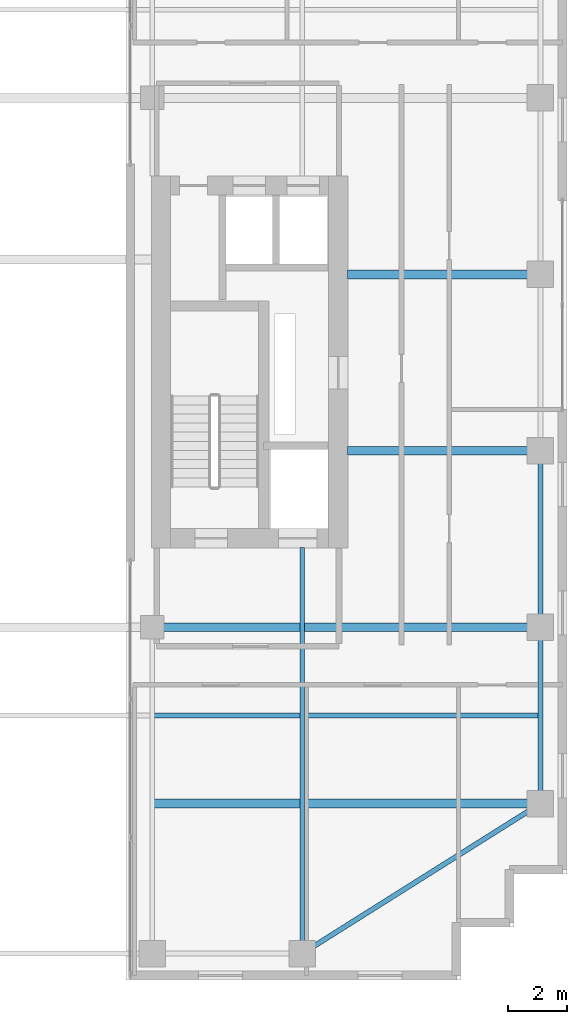
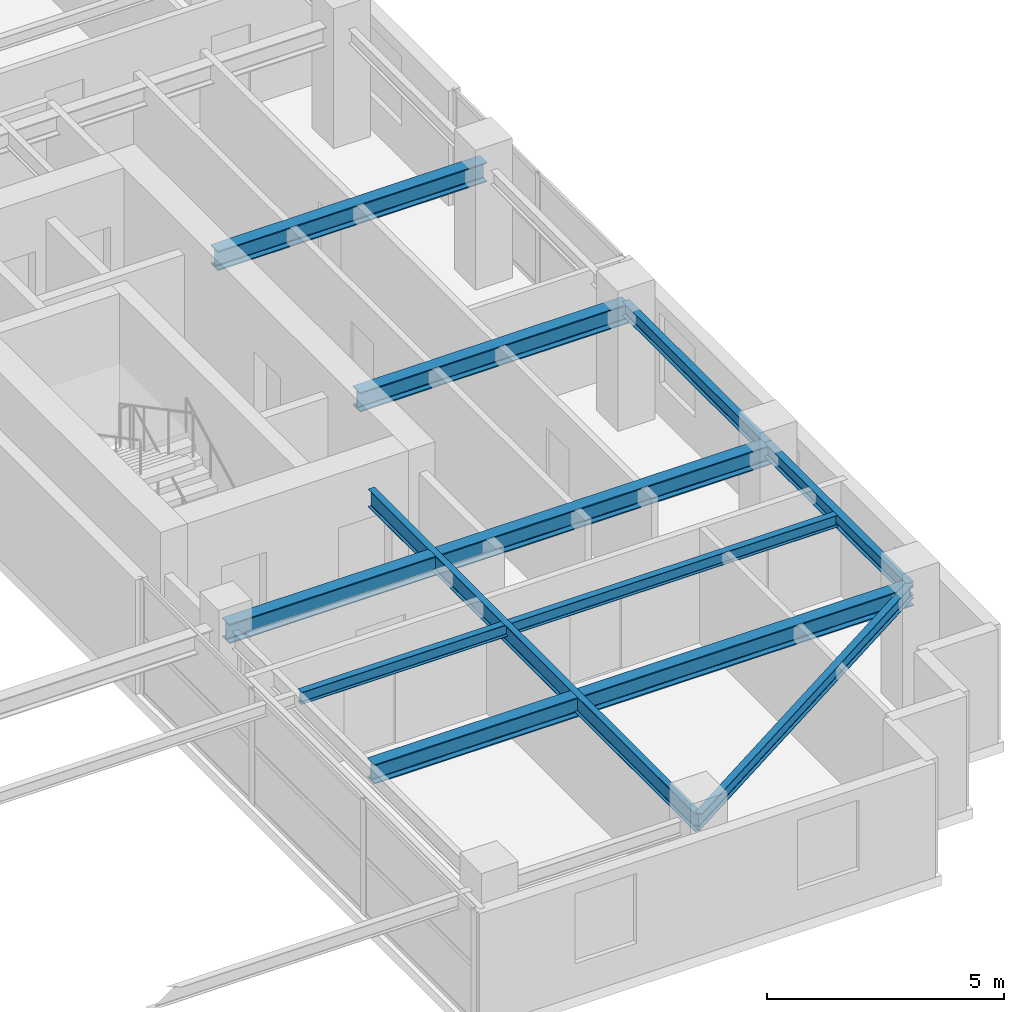
# One storey, part 10 of 21: 9 beams.
"""IFC4 building model written with IfcOpenShell, lengths in metres."""

from ifc_helpers import new_model, si_unit, direction, frame, origin, origin_2d, place, context, subcontext, project, spatial, i_section, extrude, source, transform, mapped, material, material_profile, profile_set, type_object, element, save


model = new_model("IFC4")

# Units and contexts
model_context = context("Model", 3, precision=1e-05, world=origin(), true_north=direction((0.0, 1.0)))
body_context = subcontext(model_context, "Body", "Model", "MODEL_VIEW")
ifc_project = project(units=[si_unit("LENGTHUNIT", "METRE"), si_unit("AREAUNIT", "SQUARE_METRE"), si_unit("VOLUMEUNIT", "CUBIC_METRE"), si_unit("PLANEANGLEUNIT", "RADIAN"), si_unit("MASSUNIT", "GRAM", prefix="KILO")], contexts=[model_context])

# Site, building, storey
site_placement = place(None, origin())
site = spatial("IfcSite", under=ifc_project, at=site_placement, CompositionType="ELEMENT")
building_placement = place(site_placement, origin())
building = spatial("IfcBuilding", under=site, at=building_placement, Name="Khoralis Quay Care Tower", CompositionType="ELEMENT")
storey_placement = place(building_placement, frame((0.0, 0.0, 213.300048828125)))
storey = spatial("IfcBuildingStorey", under=building, at=storey_placement, Name="L56", CompositionType="ELEMENT", Elevation=213.300048828125)

# Beams
ifc_material = material(Name="Steel S355", Category="steel")
ifc_material_profile_1 = material_profile(ifc_material, i_section(OverallWidth=0.169921875, OverallDepth=0.360107421875, WebThickness=0.008056640625, FlangeThickness=0.0126953125, FilletRadius=0.01806640625, at=origin_2d()), Name="Steel S355")
ifc_profile_set_1 = profile_set([ifc_material_profile_1], Name="Steel S355")
beam_type_1 = type_object("IfcBeamType", Name="BM-IPE360", PredefinedType="SPANDREL", material=ifc_profile_set_1)
shared_shape_1 = source(origin(), body_context, "Body", "SweptSolid", [
    extrude(i_section(OverallWidth=0.169921875, OverallDepth=0.360107421875, WebThickness=0.008056640625, FlangeThickness=0.0126953125, FilletRadius=0.01806640625, at=origin_2d()), origin(), (0.0, 0.0, 1.0), 6.0),
])
for number, where, z_axis, x_axis, name in (
    (1, (44.10009765625, 6.0, 2.77001953125), (0.0, 1.0, 0.0), (-1.0, 0.0, 0.0), "BM-TSP-L56-12"),
    (2, (44.10009765625, 12.0, 2.77001953125), (0.0, 1.0, 0.0), (-1.0, 0.0, 0.0), "BM-TSP-L56-13"),
):
    element("IfcBeam", number, at=place(storey_placement, frame(where, z_axis=z_axis, x_axis=x_axis)), inside=storey, type_object=beam_type_1, Name=name, PredefinedType="SPANDREL", context=body_context, shape_type="MappedRepresentation", body=[
        mapped(shared_shape_1, transform((0.0, 0.0, 0.0), scale=1.0)),
    ])
shared_shape_2 = source(origin(), body_context, "Body", "SweptSolid", [
    extrude(i_section(OverallWidth=0.169921875, OverallDepth=0.360107421875, WebThickness=0.008056640625, FlangeThickness=0.0126953125, FilletRadius=0.01806640625, at=origin_2d()), origin(), (0.0, 0.0, 1.0), 9.572021484375),
])
beam_1_placement = place(storey_placement, frame((36.0, 0.89990234375, 2.77001953125), z_axis=(0.846231136359, 0.532815975602, 0.0), x_axis=(-0.532815975602, 0.846231136359, 0.0)))
element("IfcBeam", 3, at=beam_1_placement, inside=storey, type_object=beam_type_1, Name="BM-TCR-L56-18", PredefinedType="SPANDREL", context=body_context, shape_type="MappedRepresentation", body=[
    mapped(shared_shape_2, transform((0.0, 0.0, 0.0), scale=1.0)),
])
ifc_material_profile_2 = material_profile(ifc_material, i_section(OverallWidth=0.300048828125, OverallDepth=0.5, WebThickness=0.014404296875, FlangeThickness=0.028076171875, FilletRadius=0.027099609375, at=origin_2d()), Name="Steel S355")
ifc_profile_set_2 = profile_set([ifc_material_profile_2], Name="Steel S355")
beam_type_2 = type_object("IfcBeamType", Name="BM-HEB500", PredefinedType="BEAM", material=ifc_profile_set_2)
shared_shape_3 = source(origin(), body_context, "Body", "SweptSolid", [
    extrude(i_section(OverallWidth=0.300048828125, OverallDepth=0.5, WebThickness=0.014404296875, FlangeThickness=0.028076171875, FilletRadius=0.027099609375, at=origin_2d()), origin(), (0.0, 0.0, 1.0), 13.135009765625),
])
beam_2_placement = place(storey_placement, frame((30.965087890625, 6.0, 2.699951171875), z_axis=(1.0, 0.0, 0.0), x_axis=(0.0, 1.0, 0.0)))
element("IfcBeam", 4, at=beam_2_placement, inside=storey, type_object=beam_type_2, Name="BM-TGXE-L56-60", PredefinedType="BEAM", context=body_context, shape_type="MappedRepresentation", body=[
    mapped(shared_shape_3, transform((0.0, 0.0, 0.0), scale=1.0)),
])
shared_shape_4 = source(origin(), body_context, "Body", "SweptSolid", [
    extrude(i_section(OverallWidth=0.300048828125, OverallDepth=0.5, WebThickness=0.014404296875, FlangeThickness=0.028076171875, FilletRadius=0.027099609375, at=origin_2d()), origin(), (0.0, 0.0, 1.0), 13.2001953125),
])
beam_3_placement = place(storey_placement, frame((30.89990234375, 12.0, 2.699951171875), z_axis=(1.0, 0.0, 0.0), x_axis=(0.0, 1.0, 0.0)))
element("IfcBeam", 5, at=beam_3_placement, inside=storey, type_object=beam_type_2, Name="BM-TGXE-L56-120", PredefinedType="BEAM", context=body_context, shape_type="MappedRepresentation", body=[
    mapped(shared_shape_4, transform((0.0, 0.0, 0.0), scale=1.0)),
])
shared_shape_5 = source(origin(), body_context, "Body", "SweptSolid", [
    extrude(i_section(OverallWidth=0.300048828125, OverallDepth=0.5, WebThickness=0.014404296875, FlangeThickness=0.028076171875, FilletRadius=0.027099609375, at=origin_2d()), origin(), (0.0, 0.0, 1.0), 6.552001953125),
])
for number, where, z_axis, x_axis, name in (
    (6, (37.548095703125, 18.0, 2.699951171875), (1.0, 0.0, 0.0), (0.0, 1.0, 0.0), "BM-TGXE-L56-180"),
    (7, (37.548095703125, 24.0, 2.699951171875), (1.0, 0.0, 0.0), (0.0, 1.0, 0.0), "BM-TGXE-L56-240"),
):
    element("IfcBeam", number, at=place(storey_placement, frame(where, z_axis=z_axis, x_axis=x_axis)), inside=storey, type_object=beam_type_2, Name=name, PredefinedType="BEAM", context=body_context, shape_type="MappedRepresentation", body=[
        mapped(shared_shape_5, transform((0.0, 0.0, 0.0), scale=1.0)),
    ])
ifc_material_profile_3 = material_profile(ifc_material, i_section(OverallWidth=0.154052734375, OverallDepth=0.458984375, WebThickness=0.009033203125, FlangeThickness=0.015380859375, FilletRadius=0.014892578125, at=origin_2d()), Name="Steel S355")
ifc_profile_set_3 = profile_set([ifc_material_profile_3], Name="Steel S355")
beam_type_3 = type_object("IfcBeamType", Name="BM-W460X68", PredefinedType="BEAM", material=ifc_profile_set_3)
shared_shape_6 = source(origin(), body_context, "Body", "SweptSolid", [
    extrude(i_section(OverallWidth=0.154052734375, OverallDepth=0.458984375, WebThickness=0.009033203125, FlangeThickness=0.015380859375, FilletRadius=0.014892578125, at=origin_2d()), origin(), (0.0, 0.0, 1.0), 13.802001953125),
])
beam_4_placement = place(storey_placement, frame((36.0, 0.89990234375, 2.720458984375), z_axis=(0.0, 1.0, 0.0), x_axis=(-1.0, 0.0, 0.0)))
element("IfcBeam", 8, at=beam_4_placement, inside=storey, type_object=beam_type_3, Name="BM-TGYS-L56-360", PredefinedType="BEAM", context=body_context, shape_type="MappedRepresentation", body=[
    mapped(shared_shape_6, transform((0.0, 0.0, 0.0), scale=1.0)),
])
ifc_material_profile_4 = material_profile(ifc_material, i_section(OverallWidth=0.1650390625, OverallDepth=0.31005859375, WebThickness=0.005859375, FlangeThickness=0.009765625, FilletRadius=0.011962890625, at=origin_2d()), Name="Steel S355")
ifc_profile_set_4 = profile_set([ifc_material_profile_4], Name="Steel S355")
beam_type_4 = type_object("IfcBeamType", Name="BM-W310X39", PredefinedType="JOIST", material=ifc_profile_set_4)
shared_shape_7 = source(origin(), body_context, "Body", "SweptSolid", [
    extrude(i_section(OverallWidth=0.1650390625, OverallDepth=0.31005859375, WebThickness=0.005859375, FlangeThickness=0.009765625, FilletRadius=0.011962890625, at=origin_2d()), origin(), (0.0, 0.0, 1.0), 13.06396484375),
])
beam_5_placement = place(storey_placement, frame((30.965087890625, 9.0, 2.794921875), z_axis=(1.0, 0.0, 0.0), x_axis=(0.0, 1.0, 0.0)))
element("IfcBeam", 9, at=beam_5_placement, inside=storey, type_object=beam_type_4, Name="BM-TJS-L56-22", PredefinedType="JOIST", context=body_context, shape_type="MappedRepresentation", body=[
    mapped(shared_shape_7, transform((0.0, 0.0, 0.0), scale=1.0)),
])

save(model, "model.ifc")
